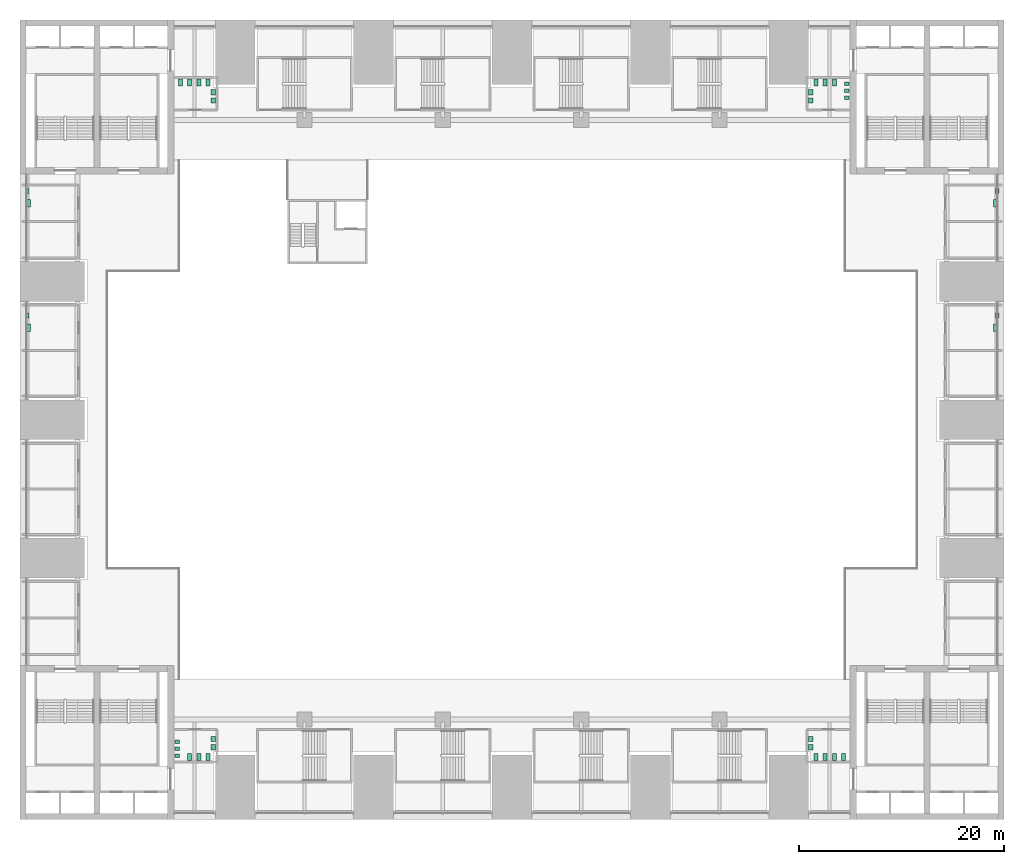
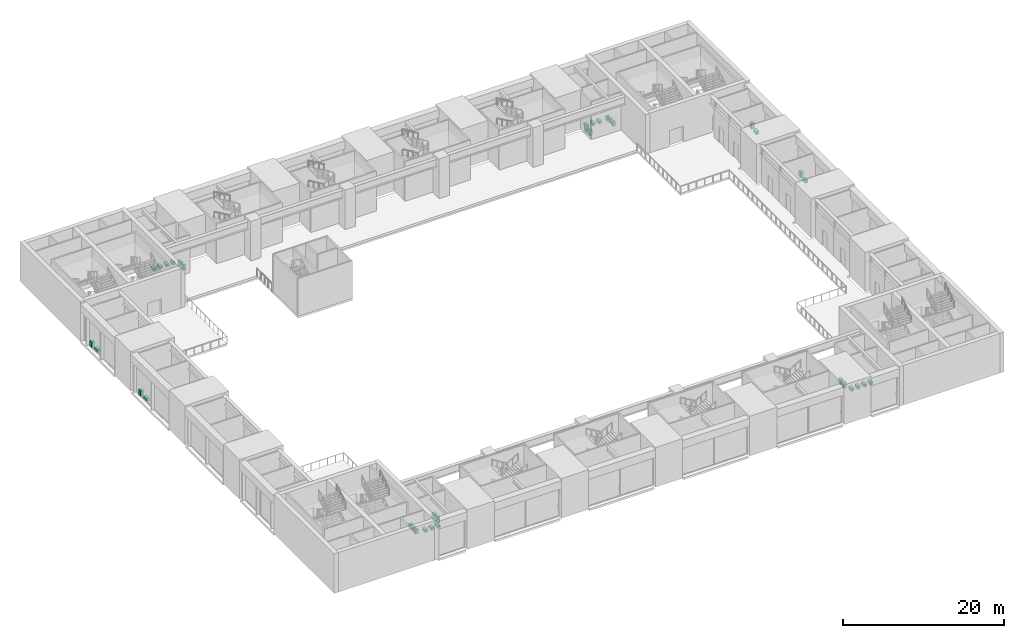
# One storey, part 41 of 41: 36 sanitary terminals.
"""IFC4 building model written with IfcOpenShell, lengths in metres."""

from ifc_helpers import new_model, si_unit, direction, frame, origin, origin_2d, place, context, subcontext, project, spatial, rectangle, extrude, material, type_object, element, save


model = new_model("IFC4")

# Units and contexts
model_context = context("Model", 3, precision=1e-05, world=origin(), true_north=direction((0.0, 1.0)))
body_context = subcontext(model_context, "Body", "Model", "MODEL_VIEW")
ifc_project = project(units=[si_unit("LENGTHUNIT", "METRE"), si_unit("AREAUNIT", "SQUARE_METRE"), si_unit("VOLUMEUNIT", "CUBIC_METRE"), si_unit("PLANEANGLEUNIT", "RADIAN"), si_unit("MASSUNIT", "GRAM", prefix="KILO")], contexts=[model_context])

# Site, building, storey
site_placement = place(None, origin())
site = spatial("IfcSite", under=ifc_project, at=site_placement, CompositionType="ELEMENT")
building_placement = place(site_placement, origin())
building = spatial("IfcBuilding", under=site, at=building_placement, Name="Corbelhall Arena Tower", CompositionType="ELEMENT")
storey_placement = place(building_placement, frame((0.0, 0.0, 19.0)))
storey = spatial("IfcBuildingStorey", under=building, at=storey_placement, Name="L02", CompositionType="ELEMENT", Elevation=19.0)

# Sanitary terminals
ifc_material = material(Name="Vitreous china")
sanitary_terminal_type_1 = type_object("IfcSanitaryTerminalType", Name="AR-BASIN", PredefinedType="WASHHANDBASIN", material=ifc_material)
for number, where, z_axis, x_axis, name in (
    (1, (47.300048828125, 10.175048828125, 0.0), (0.0, 0.0, 1.0), (1.0, 0.0, 0.0), "Basin"),
    (2, (47.300048828125, 22.324951171875, 0.0), (0.0, 0.0, 1.0), (1.0, 0.0, 0.0), "Basin"),
    (3, (-47.300048828125, 10.175048828125, 0.0), (0.0, 0.0, 1.0), (1.0, 0.0, 0.0), "Basin"),
    (4, (-47.300048828125, 22.324951171875, 0.0), (0.0, 0.0, 1.0), (1.0, 0.0, 0.0), "Basin"),
    (5, (29.14501953125, 31.14990234375, 0.0), (0.0, 0.0, 1.0), (1.0, 0.0, 0.0), "Basin"),
    (6, (29.14501953125, 31.949951171875, 0.0), (0.0, 0.0, 1.0), (1.0, 0.0, 0.0), "Basin"),
    (7, (-29.14501953125, 31.14990234375, 0.0), (0.0, 0.0, 1.0), (1.0, 0.0, 0.0), "Basin"),
    (8, (-29.14501953125, 31.949951171875, 0.0), (0.0, 0.0, 1.0), (1.0, 0.0, 0.0), "Basin"),
    (9, (29.14501953125, -31.14990234375, 0.0), (0.0, 0.0, 1.0), (1.0, 0.0, 0.0), "Basin"),
    (10, (29.14501953125, -31.949951171875, 0.0), (0.0, 0.0, 1.0), (1.0, 0.0, 0.0), "Basin"),
    (11, (-29.14501953125, -31.14990234375, 0.0), (0.0, 0.0, 1.0), (1.0, 0.0, 0.0), "Basin"),
    (12, (-29.14501953125, -31.949951171875, 0.0), (0.0, 0.0, 1.0), (1.0, 0.0, 0.0), "Basin"),
):
    element("IfcSanitaryTerminal", number, at=place(storey_placement, frame(where, z_axis=z_axis, x_axis=x_axis)), inside=storey, type_object=sanitary_terminal_type_1, Name=name, PredefinedType="WASHHANDBASIN", context=body_context, shape_type="SweptSolid", body=[
        extrude(rectangle(XDim=0.39990234375, YDim=0.5, at=origin_2d()), origin(), (0.0, 0.0, 1.0), 0.85009765625),
    ])
sanitary_terminal_type_2 = type_object("IfcSanitaryTerminalType", Name="AR-URINAL", PredefinedType="URINAL", material=ifc_material)
for number, where, z_axis, x_axis, name in (
    (13, (32.655029296875, 31.39990234375, 0.0), (0.0, 0.0, 1.0), (1.0, 0.0, 0.0), "Urinal"),
    (14, (32.655029296875, 32.10009765625, 0.0), (0.0, 0.0, 1.0), (1.0, 0.0, 0.0), "Urinal"),
    (15, (32.655029296875, 32.800048828125, 0.0), (0.0, 0.0, 1.0), (1.0, 0.0, 0.0), "Urinal"),
    (16, (-32.655029296875, -31.39990234375, 0.0), (0.0, 0.0, 1.0), (1.0, 0.0, 0.0), "Urinal"),
    (17, (-32.655029296875, -32.10009765625, 0.0), (0.0, 0.0, 1.0), (1.0, 0.0, 0.0), "Urinal"),
    (18, (-32.655029296875, -32.800048828125, 0.0), (0.0, 0.0, 1.0), (1.0, 0.0, 0.0), "Urinal"),
):
    element("IfcSanitaryTerminal", number, at=place(storey_placement, frame(where, z_axis=z_axis, x_axis=x_axis)), inside=storey, type_object=sanitary_terminal_type_2, Name=name, PredefinedType="URINAL", context=body_context, shape_type="SweptSolid", body=[
        extrude(rectangle(XDim=0.39990234375, YDim=0.35009765625, at=origin_2d()), origin(), (0.0, 0.0, 1.0), 0.64990234375),
    ])
sanitary_terminal_type_3 = type_object("IfcSanitaryTerminalType", Name="AR-WC-ACC", PredefinedType="TOILETPAN", material=ifc_material)
for number, where, z_axis, x_axis, name in (
    (19, (47.199951171875, 8.97509765625, 0.0), (0.0, 0.0, 1.0), (1.0, 0.0, 0.0), "Wc Acc"),
    (20, (47.199951171875, 21.125, 0.0), (0.0, 0.0, 1.0), (1.0, 0.0, 0.0), "Wc Acc"),
    (21, (-47.199951171875, 8.97509765625, 0.0), (0.0, 0.0, 1.0), (1.0, 0.0, 0.0), "Wc Acc"),
    (22, (-47.199951171875, 21.125, 0.0), (0.0, 0.0, 1.0), (1.0, 0.0, 0.0), "Wc Acc"),
):
    element("IfcSanitaryTerminal", number, at=place(storey_placement, frame(where, z_axis=z_axis, x_axis=x_axis)), inside=storey, type_object=sanitary_terminal_type_3, Name=name, PredefinedType="TOILETPAN", context=body_context, shape_type="SweptSolid", body=[
        extrude(rectangle(XDim=0.39990234375, YDim=0.75, at=origin_2d()), origin(), (0.0, 0.0, 1.0), 0.449951171875),
    ])
sanitary_terminal_type_4 = type_object("IfcSanitaryTerminalType", Name="AR-WC-PAN", PredefinedType="TOILETPAN", material=ifc_material)
for number, where, z_axis, x_axis, name in (
    (23, (29.64990234375, 32.905029296875, 0.0), (0.0, 0.0, 1.0), (1.0, 0.0, 0.0), "Wc Pan"),
    (24, (30.550048828125, 32.905029296875, 0.0), (0.0, 0.0, 1.0), (1.0, 0.0, 0.0), "Wc Pan"),
    (25, (31.449951171875, 32.905029296875, 0.0), (0.0, 0.0, 1.0), (1.0, 0.0, 0.0), "Wc Pan"),
    (26, (-29.64990234375, 32.905029296875, 0.0), (0.0, 0.0, 1.0), (1.0, 0.0, 0.0), "Wc Pan"),
    (27, (-30.550048828125, 32.905029296875, 0.0), (0.0, 0.0, 1.0), (1.0, 0.0, 0.0), "Wc Pan"),
    (28, (-31.449951171875, 32.905029296875, 0.0), (0.0, 0.0, 1.0), (1.0, 0.0, 0.0), "Wc Pan"),
    (29, (-32.35009765625, 32.905029296875, 0.0), (0.0, 0.0, 1.0), (1.0, 0.0, 0.0), "Wc Pan"),
    (30, (29.64990234375, -32.905029296875, 0.0), (0.0, 0.0, 1.0), (1.0, 0.0, 0.0), "Wc Pan"),
    (31, (30.550048828125, -32.905029296875, 0.0), (0.0, 0.0, 1.0), (1.0, 0.0, 0.0), "Wc Pan"),
    (32, (31.449951171875, -32.905029296875, 0.0), (0.0, 0.0, 1.0), (1.0, 0.0, 0.0), "Wc Pan"),
    (33, (32.35009765625, -32.905029296875, 0.0), (0.0, 0.0, 1.0), (1.0, 0.0, 0.0), "Wc Pan"),
    (34, (-29.64990234375, -32.905029296875, 0.0), (0.0, 0.0, 1.0), (1.0, 0.0, 0.0), "Wc Pan"),
    (35, (-30.550048828125, -32.905029296875, 0.0), (0.0, 0.0, 1.0), (1.0, 0.0, 0.0), "Wc Pan"),
    (36, (-31.449951171875, -32.905029296875, 0.0), (0.0, 0.0, 1.0), (1.0, 0.0, 0.0), "Wc Pan"),
):
    element("IfcSanitaryTerminal", number, at=place(storey_placement, frame(where, z_axis=z_axis, x_axis=x_axis)), inside=storey, type_object=sanitary_terminal_type_4, Name=name, PredefinedType="TOILETPAN", context=body_context, shape_type="SweptSolid", body=[
        extrude(rectangle(XDim=0.39990234375, YDim=0.699951171875, at=origin_2d()), origin(), (0.0, 0.0, 1.0), 0.39990234375),
    ])

save(model, "model.ifc")
